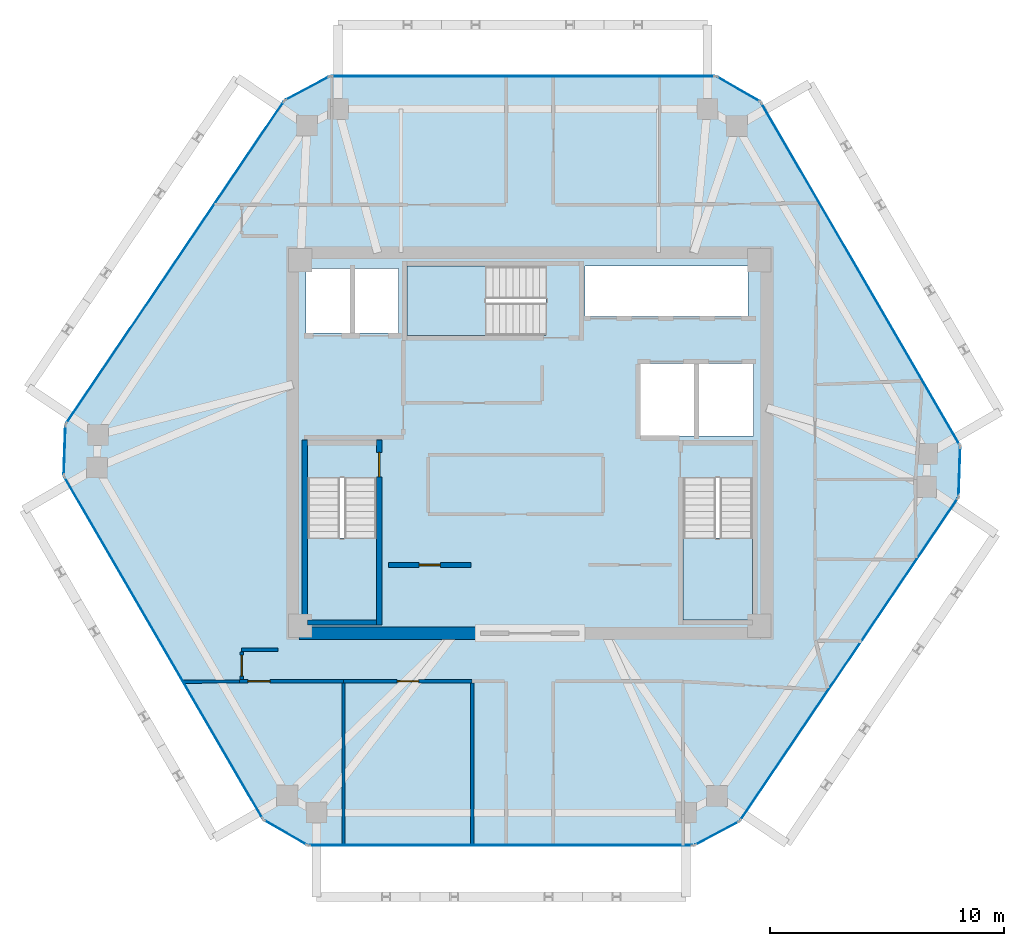
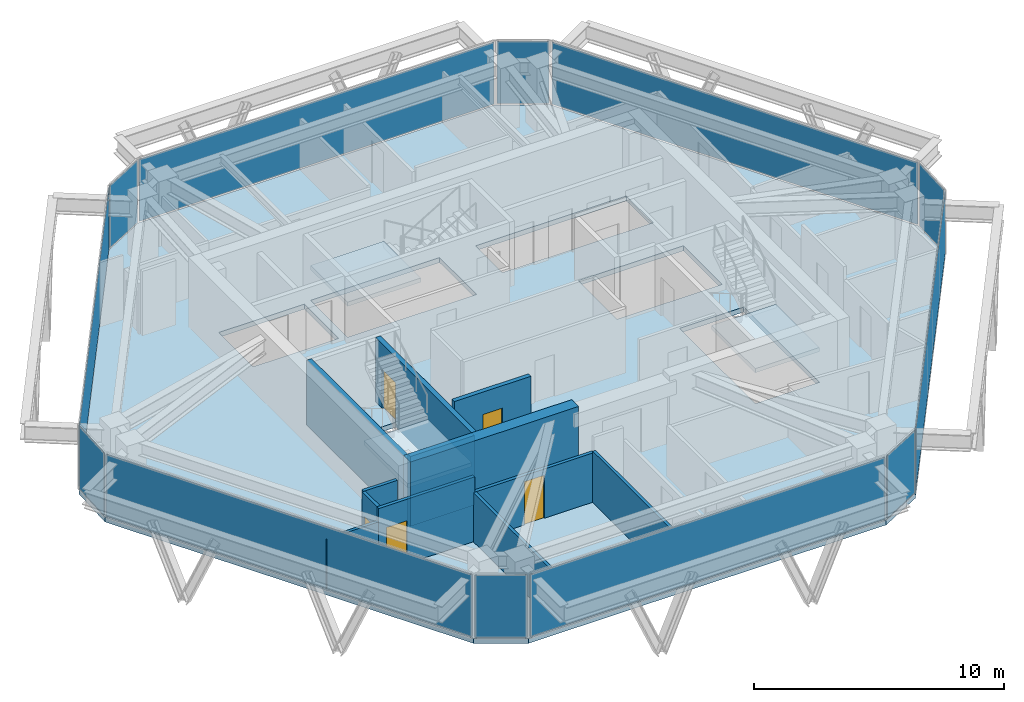
# One storey, part 7 of 11: 12 plates, 12 walls, 5 doors, 4 slabs, 5 openings, 15 elements without a shape of their own.
"""IFC4 building model written with IfcOpenShell, lengths in metres."""

from ifc_helpers import new_model, si_unit, direction, frame, frame_2d, origin, origin_2d, place, context, subcontext, project, spatial, polyline, rectangle, outline, extrude, source, transform, mapped, material, layer, layer_set, type_object, type_shapes, element, fill, aggregate, save


model = new_model("IFC4")

# Units and contexts
model_context = context("Model", 3, precision=1e-05, world=origin(), true_north=direction((0.0, 1.0)))
body_context = subcontext(model_context, "Body", "Model", "MODEL_VIEW")
ifc_project = project(units=[si_unit("LENGTHUNIT", "METRE"), si_unit("AREAUNIT", "SQUARE_METRE"), si_unit("VOLUMEUNIT", "CUBIC_METRE"), si_unit("PLANEANGLEUNIT", "RADIAN"), si_unit("MASSUNIT", "GRAM", prefix="KILO")], contexts=[model_context])

# Site, building, storey
site_placement = place(None, origin())
site = spatial("IfcSite", under=ifc_project, at=site_placement, CompositionType="ELEMENT")
building_placement = place(site_placement, origin())
building = spatial("IfcBuilding", under=site, at=building_placement, Name="Durnholm Broadcast Tower", CompositionType="ELEMENT")
storey_placement = place(building_placement, frame((0.0, 0.0, 251.300048828125)))
storey = spatial("IfcBuildingStorey", under=building, at=storey_placement, Name="L70", CompositionType="ELEMENT", Elevation=251.300048828125)

# Slab
ifc_material_1 = material(Name="Concrete C50/60", Category="concrete")
ifc_layer_1 = layer(ifc_material_1, 0.239990234375)
ifc_layer_set_1 = layer_set([ifc_layer_1], Name="Concrete C50/60")
slab_type_1 = type_object("IfcSlabType", Name="SLAB-FLR-240", PredefinedType="FLOOR", material=ifc_layer_set_1)
slab_1_placement = place(storey_placement, frame((0.0, 0.0, -0.239990234375)))
element("IfcSlab", 1, at=slab_1_placement, inside=storey, type_object=slab_type_1, Name="L70 structural floor slab", PredefinedType="FLOOR", context=body_context, shape_type="SweptSolid", body=[
    extrude(outline(polyline([(-11.384521484375, -16.088134765625), (-9.47802734375, -17.18603515625), (7.012451171875, -17.18603515625), (8.955322265625, -16.154296875), (18.307861328125, -2.3203125), (18.38330078125, -0.12158203125), (9.8603515625, 14.564208984375), (7.9541015625, 15.662109375), (-8.536376953125, 15.662109375), (-10.4794921875, 14.630126953125), (-19.831787109375, 0.79638671875), (-19.9072265625, -1.40234375), (-11.384521484375, -16.088134765625)]), holes=[polyline([(-6.5400390625, -1.5), (-9.5, -1.5), (-9.5, -7.550048828125), (-6.5400390625, -7.550048828125), (-6.5400390625, -1.5)]), polyline([(9.5, -7.550048828125), (9.5, -1.5), (6.5400390625, -1.5), (6.5400390625, -7.550048828125), (9.5, -7.550048828125)]), polyline([(9.550048828125, 3.39990234375), (4.699951171875, 3.39990234375), (4.699951171875, 0.300048828125), (9.550048828125, 0.300048828125), (9.550048828125, 3.39990234375)]), polyline([(-9.550048828125, 7.449951171875), (-9.550048828125, 4.699951171875), (-5.60009765625, 4.699951171875), (-5.60009765625, 7.449951171875), (-9.550048828125, 7.449951171875)]), polyline([(-5.25, 4.60009765625), (0.699951171875, 4.60009765625), (0.699951171875, 7.56005859375), (-5.25, 7.56005859375), (-5.25, 4.60009765625)]), polyline([(9.31005859375, 7.550048828125), (2.35009765625, 7.550048828125), (2.35009765625, 5.39990234375), (9.31005859375, 5.39990234375), (9.31005859375, 7.550048828125)])]), origin(), (0.0, 0.0, 1.0), 0.239990234375),
])

# Stair, slab
stair_type = type_object("IfcStairType", Name="STAIR-DL-20R1700", PredefinedType="HALF_TURN_STAIR", material=ifc_material_1)
stair_1_placement = place(storey_placement, origin())
stair_1 = element("IfcStair", 2, at=stair_1_placement, inside=storey, type_object=stair_type, Name="L70 ST-1", PredefinedType="HALF_TURN_STAIR")
ifc_layer_2 = layer(ifc_material_1, 0.199951171875)
ifc_layer_set_2 = layer_set([ifc_layer_2], Name="Concrete C50/60")
slab_type_2 = type_object("IfcSlabType", Name="SLAB-LND-200", PredefinedType="LANDING", material=ifc_layer_set_2)
slab_2_placement = place(storey_placement, frame((0.0, 0.0, 1.5)))
slab_2 = element("IfcSlab", 3, at=slab_2_placement, type_object=slab_type_2, Name="ST-1 landing 1", PredefinedType="LANDING", context=body_context, shape_type="SweptSolid", body=[
    extrude(outline(polyline([(-9.5, -4.06494140625), (-9.5, -7.550048828125), (-6.5400390625, -7.550048828125), (-6.5400390625, -4.06494140625), (-9.5, -4.06494140625)])), origin(), (0.0, 0.0, 1.0), 0.199951171875),
])
aggregate(stair_1, [slab_2])

stair_2_placement = place(storey_placement, origin())
stair_2 = element("IfcStair", 4, at=stair_2_placement, inside=storey, type_object=stair_type, Name="L70 ST-2", PredefinedType="HALF_TURN_STAIR")
slab_3_placement = place(storey_placement, frame((0.0, 0.0, 1.5)))
slab_3 = element("IfcSlab", 5, at=slab_3_placement, type_object=slab_type_2, Name="ST-2 landing 1", PredefinedType="LANDING", context=body_context, shape_type="SweptSolid", body=[
    extrude(outline(polyline([(6.5400390625, -4.06494140625), (6.5400390625, -7.550048828125), (9.5, -7.550048828125), (9.5, -4.06494140625), (6.5400390625, -4.06494140625)])), origin(), (0.0, 0.0, 1.0), 0.199951171875),
])
aggregate(stair_2, [slab_3])

stair_3_placement = place(storey_placement, origin())
stair_3 = element("IfcStair", 6, at=stair_3_placement, inside=storey, type_object=stair_type, Name="L70 ST-3", PredefinedType="HALF_TURN_STAIR")
slab_4_placement = place(storey_placement, frame((0.0, 0.0, 1.5)))
slab_4 = element("IfcSlab", 7, at=slab_4_placement, type_object=slab_type_2, Name="ST-3 landing 1", PredefinedType="LANDING", context=body_context, shape_type="SweptSolid", body=[
    extrude(outline(polyline([(-1.864990234375, 7.56005859375), (-5.25, 7.56005859375), (-5.25, 4.60009765625), (-1.864990234375, 4.60009765625), (-1.864990234375, 7.56005859375)])), origin(), (0.0, 0.0, 1.0), 0.199951171875),
])
aggregate(stair_3, [slab_4])

# Curtain wall, plate
ifc_material_2 = material(Name="Aluminium and Solar Control IGU", Category="aluminium")
ifc_layer_3 = layer(ifc_material_2, 0.1650390625)
ifc_layer_set_3 = layer_set([ifc_layer_3], Name="Aluminium and Solar Control IGU")
curtain_wall_type_1 = type_object("IfcCurtainWallType", Name="CW-SYS-5", PredefinedType="NOTDEFINED", material=ifc_layer_set_3)
curtain_wall_1_placement = place(storey_placement, origin())
curtain_wall_1 = element("IfcCurtainWall", 8, at=curtain_wall_1_placement, inside=storey, type_object=curtain_wall_type_1, Name="L70 curtain wall CW-CORNER CW-L70-CRN-01", PredefinedType="NOTDEFINED")
ifc_material_3 = material(Name="Low-E Laminated Insulating Glass", Category="glass")
ifc_layer_4 = layer(ifc_material_3, 0.030029296875)
ifc_layer_set_4 = layer_set([ifc_layer_4], Name="Low-E Laminated Insulating Glass")
plate_type_1 = type_object("IfcPlateType", Name="CW-SYS-5-PNL", PredefinedType="CURTAIN_PANEL", material=ifc_layer_set_4)
shared_shape_1 = source(origin(), body_context, "Body", "SweptSolid", [
    extrude(rectangle(XDim=2.070068359375, YDim=0.030029296875, at=origin_2d()), origin(), (0.0, 0.0, 1.0), 3.030029296875),
])
plate_1_placement = place(storey_placement, frame((-19.86962890625, -0.302978515625, 0.06494140625), z_axis=(0.0, 0.0, 1.0), x_axis=(0.034318245849, 0.999410955514, 0.0)))
plate_1 = element("IfcPlate", 9, at=plate_1_placement, type_object=plate_type_1, Name="CW-CORNER panel 1.1", PredefinedType="CURTAIN_PANEL", context=body_context, shape_type="MappedRepresentation", body=[
    mapped(shared_shape_1, transform((0.0, 0.0, 0.0), x_axis=(1.0, 0.0, 0.0), y_axis=(0.0, 1.0, 0.0), z_axis=(0.0, 0.0, 1.0), scale=1.0)),
])
aggregate(curtain_wall_1, [plate_1])

curtain_wall_2_placement = place(storey_placement, origin())
curtain_wall_2 = element("IfcCurtainWall", 10, at=curtain_wall_2_placement, inside=storey, type_object=curtain_wall_type_1, Name="L70 curtain wall CW-CORNER CW-L70-CRN-03", PredefinedType="NOTDEFINED")
plate_2_placement = place(storey_placement, frame((-9.5078125, 15.14599609375, 0.06494140625), z_axis=(0.0, 0.0, 1.0), x_axis=(0.883194569853, 0.469006771575, 0.0)))
plate_2 = element("IfcPlate", 11, at=plate_2_placement, type_object=plate_type_1, Name="CW-CORNER panel 1.1", PredefinedType="CURTAIN_PANEL", context=body_context, shape_type="MappedRepresentation", body=[
    mapped(shared_shape_1, transform((0.0, 0.0, 0.0), x_axis=(1.0, 0.0, 0.0), y_axis=(0.0, 1.0, 0.0), z_axis=(0.0, 0.0, 1.0), scale=1.0)),
])
aggregate(curtain_wall_2, [plate_2])

curtain_wall_3_placement = place(storey_placement, origin())
curtain_wall_3 = element("IfcCurtainWall", 12, at=curtain_wall_3_placement, inside=storey, type_object=curtain_wall_type_1, Name="L70 curtain wall CW-CORNER CW-L70-CRN-07", PredefinedType="NOTDEFINED")
plate_3_placement = place(storey_placement, frame((18.345458984375, -1.220947265625, 0.06494140625), z_axis=(0.0, 0.0, 1.0), x_axis=(-0.034318245849, -0.999410955514, 0.0)))
plate_3 = element("IfcPlate", 13, at=plate_3_placement, type_object=plate_type_1, Name="CW-CORNER panel 1.1", PredefinedType="CURTAIN_PANEL", context=body_context, shape_type="MappedRepresentation", body=[
    mapped(shared_shape_1, transform((0.0, 0.0, 0.0), x_axis=(1.0, 0.0, 0.0), y_axis=(0.0, 1.0, 0.0), z_axis=(0.0, 0.0, 1.0), scale=1.0)),
])
aggregate(curtain_wall_3, [plate_3])

curtain_wall_4_placement = place(storey_placement, origin())
curtain_wall_4 = element("IfcCurtainWall", 14, at=curtain_wall_4_placement, inside=storey, type_object=curtain_wall_type_1, Name="L70 curtain wall CW-CORNER CW-L70-CRN-09", PredefinedType="NOTDEFINED")
plate_4_placement = place(storey_placement, frame((7.98388671875, -16.670166015625, 0.06494140625), z_axis=(0.0, 0.0, 1.0), x_axis=(-0.883194569853, -0.469006771575, 0.0)))
plate_4 = element("IfcPlate", 15, at=plate_4_placement, type_object=plate_type_1, Name="CW-CORNER panel 1.1", PredefinedType="CURTAIN_PANEL", context=body_context, shape_type="MappedRepresentation", body=[
    mapped(shared_shape_1, transform((0.0, 0.0, 0.0), x_axis=(1.0, 0.0, 0.0), y_axis=(0.0, 1.0, 0.0), z_axis=(0.0, 0.0, 1.0), scale=1.0)),
])
aggregate(curtain_wall_4, [plate_4])

ifc_layer_5 = layer(ifc_material_2, 0.18994140625)
ifc_layer_set_5 = layer_set([ifc_layer_5], Name="Aluminium and Solar Control IGU")
curtain_wall_type_2 = type_object("IfcCurtainWallType", Name="CW-SYS-4", PredefinedType="NOTDEFINED", material=ifc_layer_set_5)
curtain_wall_5_placement = place(storey_placement, origin())
curtain_wall_5 = element("IfcCurtainWall", 16, at=curtain_wall_5_placement, inside=storey, type_object=curtain_wall_type_2, Name="L70 curtain wall CW-Z34-VIS CW-L70-F02", PredefinedType="NOTDEFINED")
ifc_layer_6 = layer(ifc_material_3, 0.033935546875)
ifc_layer_set_6 = layer_set([ifc_layer_6], Name="Low-E Laminated Insulating Glass")
plate_type_2 = type_object("IfcPlateType", Name="CW-SYS-4-PNL", PredefinedType="CURTAIN_PANEL", material=ifc_layer_set_6)
shared_shape_2 = source(origin(), body_context, "Body", "SweptSolid", [
    extrude(rectangle(XDim=16.55859375, YDim=0.033935546875, at=origin_2d()), origin(), (0.0, 0.0, 1.0), 3.02001953125),
])
plate_5_placement = place(storey_placement, frame((-15.155517578125, 7.71337890625, 0.06982421875), z_axis=(0.0, 0.0, 1.0), x_axis=(0.560072745753, 0.828443431662, 0.0)))
plate_5 = element("IfcPlate", 17, at=plate_5_placement, type_object=plate_type_2, Name="CW-Z34-VIS panel 1.1", PredefinedType="CURTAIN_PANEL", context=body_context, shape_type="MappedRepresentation", body=[
    mapped(shared_shape_2, transform((0.0, 0.0, 0.0), x_axis=(1.0, 0.0, 0.0), y_axis=(0.0, 1.0, 0.0), z_axis=(0.0, 0.0, 1.0), scale=1.0)),
])
aggregate(curtain_wall_5, [plate_5])

curtain_wall_6_placement = place(storey_placement, origin())
curtain_wall_6 = element("IfcCurtainWall", 18, at=curtain_wall_6_placement, inside=storey, type_object=curtain_wall_type_2, Name="L70 curtain wall CW-Z34-VIS CW-L70-F08", PredefinedType="NOTDEFINED")
plate_6_placement = place(storey_placement, frame((13.631591796875, -9.2373046875, 0.06982421875), z_axis=(0.0, 0.0, 1.0), x_axis=(-0.560072745753, -0.828443431662, 0.0)))
plate_6 = element("IfcPlate", 19, at=plate_6_placement, type_object=plate_type_2, Name="CW-Z34-VIS panel 1.1", PredefinedType="CURTAIN_PANEL", context=body_context, shape_type="MappedRepresentation", body=[
    mapped(shared_shape_2, transform((0.0, 0.0, 0.0), x_axis=(1.0, 0.0, 0.0), y_axis=(0.0, 1.0, 0.0), z_axis=(0.0, 0.0, 1.0), scale=1.0)),
])
aggregate(curtain_wall_6, [plate_6])

curtain_wall_7_placement = place(storey_placement, origin())
curtain_wall_7 = element("IfcCurtainWall", 20, at=curtain_wall_7_placement, inside=storey, type_object=curtain_wall_type_2, Name="L70 curtain wall CW-Z34-VIS CW-L70-F04", PredefinedType="NOTDEFINED")
shared_shape_3 = source(origin(), body_context, "Body", "SweptSolid", [
    extrude(rectangle(XDim=16.350341796875, YDim=0.033935546875, at=origin_2d()), origin(), (0.0, 0.0, 1.0), 3.02001953125),
])
plate_7_placement = place(storey_placement, frame((-0.291259765625, 15.662109375, 0.06982421875), z_axis=(0.0, 0.0, 1.0), x_axis=(1.0, 0.0, 0.0)))
plate_7 = element("IfcPlate", 21, at=plate_7_placement, type_object=plate_type_2, Name="CW-Z34-VIS panel 1.1", PredefinedType="CURTAIN_PANEL", context=body_context, shape_type="MappedRepresentation", body=[
    mapped(shared_shape_3, transform((0.0, 0.0, 0.0), x_axis=(1.0, 0.0, 0.0), y_axis=(0.0, 1.0, 0.0), z_axis=(0.0, 0.0, 1.0), scale=1.0)),
])
aggregate(curtain_wall_7, [plate_7])

curtain_wall_8_placement = place(storey_placement, origin())
curtain_wall_8 = element("IfcCurtainWall", 22, at=curtain_wall_8_placement, inside=storey, type_object=curtain_wall_type_2, Name="L70 curtain wall CW-Z34-VIS CW-L70-F10", PredefinedType="NOTDEFINED")
plate_8_placement = place(storey_placement, frame((-1.23291015625, -17.18603515625, 0.06982421875), z_axis=(0.0, 0.0, 1.0), x_axis=(-1.0, 0.0, 0.0)))
plate_8 = element("IfcPlate", 23, at=plate_8_placement, type_object=plate_type_2, Name="CW-Z34-VIS panel 1.1", PredefinedType="CURTAIN_PANEL", context=body_context, shape_type="MappedRepresentation", body=[
    mapped(shared_shape_3, transform((0.0, 0.0, 0.0), x_axis=(1.0, 0.0, 0.0), y_axis=(0.0, 1.0, 0.0), z_axis=(0.0, 0.0, 1.0), scale=1.0)),
])
aggregate(curtain_wall_8, [plate_8])

curtain_wall_9_placement = place(storey_placement, origin())
curtain_wall_9 = element("IfcCurtainWall", 24, at=curtain_wall_9_placement, inside=storey, type_object=curtain_wall_type_1, Name="L70 curtain wall CW-CORNER CW-L70-CRN-05", PredefinedType="NOTDEFINED")
shared_shape_4 = source(origin(), body_context, "Body", "SweptSolid", [
    extrude(rectangle(XDim=2.06982421875, YDim=0.030029296875, at=origin_2d()), origin(), (0.0, 0.0, 1.0), 3.030029296875),
])
type_shapes(plate_type_1, [shared_shape_1, shared_shape_4])
plate_9_placement = place(storey_placement, frame((8.9072265625, 15.113037109375, 0.06494140625), z_axis=(0.0, 0.0, 1.0), x_axis=(0.866568249707, -0.499058582333, 0.0)))
plate_9 = element("IfcPlate", 25, at=plate_9_placement, type_object=plate_type_1, Name="CW-CORNER panel 1.1", PredefinedType="CURTAIN_PANEL", context=body_context, shape_type="MappedRepresentation", body=[
    mapped(shared_shape_4, transform((0.0, 0.0, 0.0), x_axis=(1.0, 0.0, 0.0), y_axis=(0.0, 1.0, 0.0), z_axis=(0.0, 0.0, 1.0), scale=1.0)),
])
aggregate(curtain_wall_9, [plate_9])

curtain_wall_10_placement = place(storey_placement, origin())
curtain_wall_10 = element("IfcCurtainWall", 26, at=curtain_wall_10_placement, inside=storey, type_object=curtain_wall_type_1, Name="L70 curtain wall CW-CORNER CW-L70-CRN-11", PredefinedType="NOTDEFINED")
plate_10_placement = place(storey_placement, frame((-10.43115234375, -16.636962890625, 0.06494140625), z_axis=(0.0, 0.0, 1.0), x_axis=(-0.866568249707, 0.499058582333, 0.0)))
plate_10 = element("IfcPlate", 27, at=plate_10_placement, type_object=plate_type_1, Name="CW-CORNER panel 1.1", PredefinedType="CURTAIN_PANEL", context=body_context, shape_type="MappedRepresentation", body=[
    mapped(shared_shape_4, transform((0.0, 0.0, 0.0), x_axis=(1.0, 0.0, 0.0), y_axis=(0.0, 1.0, 0.0), z_axis=(0.0, 0.0, 1.0), scale=1.0)),
])
aggregate(curtain_wall_10, [plate_10])

curtain_wall_11_placement = place(storey_placement, origin())
curtain_wall_11 = element("IfcCurtainWall", 28, at=curtain_wall_11_placement, inside=storey, type_object=curtain_wall_type_2, Name="L70 curtain wall CW-Z34-VIS CW-L70-F06", PredefinedType="NOTDEFINED")
shared_shape_5 = source(origin(), body_context, "Body", "SweptSolid", [
    extrude(rectangle(XDim=16.83984375, YDim=0.033935546875, at=origin_2d()), origin(), (0.0, 0.0, 1.0), 3.02001953125),
])
type_shapes(plate_type_2, [shared_shape_2, shared_shape_3, shared_shape_5])
plate_11_placement = place(storey_placement, frame((14.121826171875, 7.22119140625, 0.06982421875), z_axis=(0.0, 0.0, 1.0), x_axis=(0.50194441023, -0.864899883824, 0.0)))
plate_11 = element("IfcPlate", 29, at=plate_11_placement, type_object=plate_type_2, Name="CW-Z34-VIS panel 1.1", PredefinedType="CURTAIN_PANEL", context=body_context, shape_type="MappedRepresentation", body=[
    mapped(shared_shape_5, transform((0.0, 0.0, 0.0), x_axis=(1.0, 0.0, 0.0), y_axis=(0.0, 1.0, 0.0), z_axis=(0.0, 0.0, 1.0), scale=1.0)),
])
aggregate(curtain_wall_11, [plate_11])

curtain_wall_12_placement = place(storey_placement, origin())
curtain_wall_12 = element("IfcCurtainWall", 30, at=curtain_wall_12_placement, inside=storey, type_object=curtain_wall_type_2, Name="L70 curtain wall CW-Z34-VIS CW-L70-F12", PredefinedType="NOTDEFINED")
plate_12_placement = place(storey_placement, frame((-15.645751953125, -8.7451171875, 0.06982421875), z_axis=(0.0, 0.0, 1.0), x_axis=(-0.50194441023, 0.864899883824, 0.0)))
plate_12 = element("IfcPlate", 31, at=plate_12_placement, type_object=plate_type_2, Name="CW-Z34-VIS panel 1.1", PredefinedType="CURTAIN_PANEL", context=body_context, shape_type="MappedRepresentation", body=[
    mapped(shared_shape_5, transform((0.0, 0.0, 0.0), x_axis=(1.0, 0.0, 0.0), y_axis=(0.0, 1.0, 0.0), z_axis=(0.0, 0.0, 1.0), scale=1.0)),
])
aggregate(curtain_wall_12, [plate_12])

# Wall
ifc_material_4 = material(Name="Concrete C70/85", Category="concrete")
ifc_layer_7 = layer(ifc_material_4, 0.550048828125)
ifc_layer_set_7 = layer_set([ifc_layer_7], Name="Concrete C70/85")
wall_type_1 = type_object("IfcWallType", Name="WALL-CW-550", PredefinedType="SHEAR", material=ifc_layer_set_7)
wall_1_placement = place(storey_placement, frame((-9.85009765625, -8.125, 0.0), z_axis=(0.0, 0.0, 1.0), x_axis=(1.0, 0.0, 0.0)))
element("IfcWall", 32, at=wall_1_placement, inside=storey, type_object=wall_type_1, Name="L70 central core shear wall CW-S1", PredefinedType="SHEAR", context=body_context, shape_type="SweptSolid", body=[
    extrude(rectangle(XDim=7.75, YDim=0.550048828125, at=frame_2d((3.875, 0.0))), origin(), (0.0, 0.0, 1.0), 3.39990234375),
])

# Wall, opening, door
ifc_material_5 = material(Name="Fire-Rated Gypsum Shaftwall", Category="concrete")
ifc_layer_8 = layer(ifc_material_5, 0.199951171875)
ifc_layer_set_8 = layer_set([ifc_layer_8], Name="Fire-Rated Gypsum Shaftwall")
wall_type_2 = type_object("IfcWallType", Name="WALL-LOB-200", PredefinedType="SOLIDWALL", material=ifc_layer_set_8)
wall_2_placement = place(storey_placement, frame((-6.0400390625, -5.2099609375, 0.0), z_axis=(0.0, 0.0, 1.0), x_axis=(1.0, 0.0, 0.0)))
wall_2 = element("IfcWall", 33, at=wall_2_placement, inside=storey, type_object=wall_type_2, Name="L70 Broadcast Signal Rack Room corridor partition", PredefinedType="SOLIDWALL", context=body_context, shape_type="SweptSolid", body=[
    extrude(rectangle(XDim=3.530029296875, YDim=0.199951171875, at=frame_2d((1.76513671875, 0.0))), origin(), (0.0, 0.0, 1.0), 3.14501953125),
])
opening_1_placement = place(wall_2_placement, frame((1.31494140625, 0.0, 0.0)))
opening_1 = element("IfcOpeningElement", 34, at=opening_1_placement, cuts=wall_2, Name="Opening DC-60R", PredefinedType="OPENING", context=body_context, shape_type="SweptSolid", body=[
    extrude(rectangle(XDim=0.89990234375, YDim=2.050048828125, at=frame_2d((0.449951171875, 1.02490234375))), frame((0.0, 0.10986328125, 0.0), z_axis=(0.0, -1.0, 0.0), x_axis=(1.0, 0.0, 0.0)), (0.0, 0.0, 1.0), 0.219970703125),
])
ifc_material_6 = material(Name="Fire-Rated Core Service Door", Category="steel")
ifc_layer_9 = layer(ifc_material_6, 0.050048828125)
ifc_layer_set_9 = layer_set([ifc_layer_9], Name="Fire-Rated Core Service Door")
door_type_1 = type_object("IfcDoorType", Name="DOOR-CORE-FD60-R", OperationType="NOTDEFINED", PredefinedType="DOOR", material=ifc_layer_set_9)
shared_shape_6 = source(origin(), body_context, "Body", "SweptSolid", [
    extrude(rectangle(XDim=0.89990234375, YDim=2.050048828125, at=frame_2d((0.449951171875, 1.02490234375))), frame((0.0, 0.02490234375, 0.0), z_axis=(0.0, -1.0, 0.0), x_axis=(1.0, 0.0, 0.0)), (0.0, 0.0, 1.0), 0.050048828125),
])
type_shapes(door_type_1, [shared_shape_6])
door_1_placement = place(opening_1_placement, origin())
door_1 = element("IfcDoor", 35, at=door_1_placement, inside=storey, type_object=door_type_1, Name="L70 Broadcast Signal Rack Room entrance door", OperationType="SINGLE_SWING_RIGHT", OverallHeight=2.050048828125, OverallWidth=0.89990234375, PredefinedType="DOOR", context=body_context, shape_type="MappedRepresentation", body=[
    mapped(shared_shape_6, transform((0.0, 0.0, 0.0), x_axis=(1.0, 0.0, 0.0), y_axis=(0.0, 1.0, 0.0), z_axis=(0.0, 0.0, 1.0), scale=1.0)),
])
fill(opening_1, door_1)

# Walls
ifc_material_7 = material(Name="Gypsum Metal Stud Partition", Category="concrete")
ifc_layer_10 = layer(ifc_material_7, 0.135009765625)
ifc_layer_set_10 = layer_set([ifc_layer_10], Name="Gypsum Metal Stud Partition")
wall_type_3 = type_object("IfcWallType", Name="WALL-PART-135", PredefinedType="PARTITIONING", material=ifc_layer_set_10)
wall_3_placement = place(storey_placement, frame((-7.9599609375, -10.259033203125, 0.0), z_axis=(0.0, 0.0, 1.0), x_axis=(0.0, -1.0, 0.0)))
element("IfcWall", 36, at=wall_3_placement, inside=storey, type_object=wall_type_3, Name="L70 room dividing partition 12.13", PredefinedType="PARTITIONING", context=body_context, shape_type="SweptSolid", body=[
    extrude(rectangle(XDim=6.927001953125, YDim=0.135009765625, at=frame_2d((3.46337890625, 0.0))), origin(), (0.0, 0.0, 1.0), 2.4013671875),
])
wall_4_placement = place(storey_placement, frame((-14.801513671875, -10.199951171875, 0.0), z_axis=(0.0, 0.0, 1.0), x_axis=(0.999968020968, 0.007997314604, 0.0)))
element("IfcWall", 37, at=wall_4_placement, inside=storey, type_object=wall_type_3, Name="L70 room dividing partition 12.17", PredefinedType="PARTITIONING", context=body_context, shape_type="SweptSolid", body=[
    extrude(rectangle(XDim=2.41162109375, YDim=0.135009765625, at=frame_2d((1.205810546875, 0.0))), origin(), (0.0, 0.0, 1.0), 2.498779296875),
])
wall_5_placement = place(storey_placement, frame((-2.4599609375, -10.259033203125, 0.0), z_axis=(0.0, 0.0, 1.0), x_axis=(0.0, -1.0, 0.0)))
element("IfcWall", 38, at=wall_5_placement, inside=storey, type_object=wall_type_3, Name="L70 room dividing partition 13.14", PredefinedType="PARTITIONING", context=body_context, shape_type="SweptSolid", body=[
    extrude(rectangle(XDim=6.927001953125, YDim=0.135009765625, at=frame_2d((3.46337890625, 0.0))), origin(), (0.0, 0.0, 1.0), 2.498779296875),
])

# Wall, opening, door
ifc_material_8 = material(Name="Acoustic Gypsum Stud Partition", Category="concrete")
ifc_layer_11 = layer(ifc_material_8, 0.14990234375)
ifc_layer_set_11 = layer_set([ifc_layer_11], Name="Acoustic Gypsum Stud Partition")
wall_type_4 = type_object("IfcWallType", Name="WALL-PART-150", PredefinedType="PARTITIONING", material=ifc_layer_set_11)
wall_6_placement = place(storey_placement, frame((-12.389892578125, -10.179931640625, 0.0), z_axis=(0.0, 0.0, 1.0), x_axis=(1.0, 0.0, 0.0)))
wall_6 = element("IfcWall", 39, at=wall_6_placement, inside=storey, type_object=wall_type_4, Name="L70 Open Plan Broadcast Workspace 6 corridor partition", PredefinedType="PARTITIONING", context=body_context, shape_type="SweptSolid", body=[
    extrude(rectangle(XDim=4.429931640625, YDim=0.14990234375, at=frame_2d((2.21484375, 0.0))), origin(), (0.0, 0.0, 1.0), 3.14501953125),
])
opening_2_placement = place(wall_6_placement, frame((0.35009765625, 0.0, 0.0)))
opening_2 = element("IfcOpeningElement", 40, at=opening_2_placement, cuts=wall_6, Name="Opening DR-95L", PredefinedType="OPENING", context=body_context, shape_type="SweptSolid", body=[
    extrude(rectangle(XDim=0.949951171875, YDim=2.10009765625, at=frame_2d((0.47509765625, 1.050048828125))), frame((0.0, 0.0849609375, 0.0), z_axis=(0.0, -1.0, 0.0), x_axis=(1.0, 0.0, 0.0)), (0.0, 0.0, 1.0), 0.169921875),
])
ifc_material_9 = material(Name="Acoustic Oak Veneer Timber Door", Category="wood")
ifc_layer_12 = layer(ifc_material_9, 0.050048828125)
ifc_layer_set_12 = layer_set([ifc_layer_12], Name="Acoustic Oak Veneer Timber Door")
door_type_2 = type_object("IfcDoorType", Name="DOOR-RM-950L", OperationType="NOTDEFINED", PredefinedType="DOOR", material=ifc_layer_set_12)
shared_shape_7 = source(origin(), body_context, "Body", "SweptSolid", [
    extrude(rectangle(XDim=0.949951171875, YDim=2.10009765625, at=frame_2d((0.47509765625, 1.050048828125))), frame((0.0, 0.02490234375, 0.0), z_axis=(0.0, -1.0, 0.0), x_axis=(1.0, 0.0, 0.0)), (0.0, 0.0, 1.0), 0.050048828125),
])
type_shapes(door_type_2, [shared_shape_7])
door_2_placement = place(opening_2_placement, origin())
door_2 = element("IfcDoor", 41, at=door_2_placement, inside=storey, type_object=door_type_2, Name="L70 Open Plan Broadcast Workspace 6 entrance door", OperationType="SINGLE_SWING_LEFT", OverallHeight=2.10009765625, OverallWidth=0.949951171875, PredefinedType="DOOR", context=body_context, shape_type="MappedRepresentation", body=[
    mapped(shared_shape_7, transform((0.0, 0.0, 0.0), x_axis=(1.0, 0.0, 0.0), y_axis=(0.0, 1.0, 0.0), z_axis=(0.0, 0.0, 1.0), scale=1.0)),
])
fill(opening_2, door_2)

wall_7_placement = place(storey_placement, frame((-7.9599609375, -10.179931640625, 0.0), z_axis=(0.0, 0.0, 1.0), x_axis=(1.0, 0.0, 0.0)))
wall_7 = element("IfcWall", 42, at=wall_7_placement, inside=storey, type_object=wall_type_4, Name="L70 Seminar Dining Room corridor partition", PredefinedType="PARTITIONING", context=body_context, shape_type="SweptSolid", body=[
    extrude(rectangle(XDim=5.5, YDim=0.14990234375, at=frame_2d((2.75, 0.0))), origin(), (0.0, 0.0, 1.0), 2.4013671875),
])
opening_3_placement = place(wall_7_placement, frame((2.2900390625, 0.0, 0.0)))
opening_3 = element("IfcOpeningElement", 43, at=opening_3_placement, cuts=wall_7, Name="Opening DR-92R", PredefinedType="OPENING", context=body_context, shape_type="SweptSolid", body=[
    extrude(rectangle(XDim=0.919921875, YDim=2.10009765625, at=frame_2d((0.4599609375, 1.050048828125))), frame((0.0, 0.0849609375, 0.0), z_axis=(0.0, -1.0, 0.0), x_axis=(1.0, 0.0, 0.0)), (0.0, 0.0, 1.0), 0.169921875),
])
ifc_material_10 = material(Name="Oak Veneer Office Door", Category="wood")
ifc_layer_13 = layer(ifc_material_10, 0.050048828125)
ifc_layer_set_13 = layer_set([ifc_layer_13], Name="Oak Veneer Office Door")
door_type_3 = type_object("IfcDoorType", Name="DOOR-RM-920R", OperationType="NOTDEFINED", PredefinedType="DOOR", material=ifc_layer_set_13)
shared_shape_8 = source(origin(), body_context, "Body", "SweptSolid", [
    extrude(rectangle(XDim=0.919921875, YDim=2.10009765625, at=frame_2d((0.4599609375, 1.050048828125))), frame((0.0, 0.02490234375, 0.0), z_axis=(0.0, -1.0, 0.0), x_axis=(1.0, 0.0, 0.0)), (0.0, 0.0, 1.0), 0.050048828125),
])
type_shapes(door_type_3, [shared_shape_8])
door_3_placement = place(opening_3_placement, origin())
door_3 = element("IfcDoor", 44, at=door_3_placement, inside=storey, type_object=door_type_3, Name="L70 Seminar Dining Room entrance door", OperationType="SINGLE_SWING_RIGHT", OverallHeight=2.10009765625, OverallWidth=0.919921875, PredefinedType="DOOR", context=body_context, shape_type="MappedRepresentation", body=[
    mapped(shared_shape_8, transform((0.0, 0.0, 0.0), x_axis=(1.0, 0.0, 0.0), y_axis=(0.0, 1.0, 0.0), z_axis=(0.0, 0.0, 1.0), scale=1.0)),
])
fill(opening_3, door_3)

# Wall
wall_8_placement = place(storey_placement, frame((-10.760009765625, -8.840087890625, 0.0), z_axis=(0.0, 0.0, 1.0), x_axis=(-1.0, 0.0, 0.0)))
element("IfcWall", 45, at=wall_8_placement, inside=storey, type_object=wall_type_4, Name="L70 Fellows Meeting Room 3 corridor partition", PredefinedType="PARTITIONING", context=body_context, shape_type="SweptSolid", body=[
    extrude(rectangle(XDim=1.550048828125, YDim=0.14990234375, at=frame_2d((0.77490234375, 0.0))), origin(), (0.0, 0.0, 1.0), 3.14501953125),
])

# Wall, opening, door
wall_9_placement = place(storey_placement, frame((-12.31005859375, -8.9189453125, 0.0), z_axis=(0.0, 0.0, 1.0), x_axis=(0.0, -1.0, 0.0)))
wall_9 = element("IfcWall", 46, at=wall_9_placement, inside=storey, type_object=wall_type_4, Name="L70 Fellows Meeting Room 3 corridor partition", PredefinedType="PARTITIONING", context=body_context, shape_type="SweptSolid", body=[
    extrude(rectangle(XDim=1.18212890625, YDim=0.14990234375, at=frame_2d((0.591064453125, 0.0))), origin(), (0.0, 0.0, 1.0), 3.14501953125),
])
opening_4_placement = place(wall_9_placement, frame((0.14111328125, 0.0, 0.0)))
opening_4 = element("IfcOpeningElement", 47, at=opening_4_placement, cuts=wall_9, Name="Opening DW-90L", PredefinedType="OPENING", context=body_context, shape_type="SweptSolid", body=[
    extrude(rectangle(XDim=0.89990234375, YDim=2.050048828125, at=frame_2d((0.449951171875, 1.02490234375))), frame((0.0, 0.0849609375, 0.0), z_axis=(0.0, -1.0, 0.0), x_axis=(1.0, 0.0, 0.0)), (0.0, 0.0, 1.0), 0.169921875),
])
ifc_material_11 = material(Name="Laminate Restroom Door", Category="steel")
ifc_layer_14 = layer(ifc_material_11, 0.050048828125)
ifc_layer_set_14 = layer_set([ifc_layer_14], Name="Laminate Restroom Door")
door_type_4 = type_object("IfcDoorType", Name="DOOR-WC-900L", OperationType="NOTDEFINED", PredefinedType="DOOR", material=ifc_layer_set_14)
shared_shape_9 = source(origin(), body_context, "Body", "SweptSolid", [
    extrude(rectangle(XDim=0.89990234375, YDim=2.050048828125, at=frame_2d((0.449951171875, 1.02490234375))), frame((0.0, 0.02490234375, 0.0), z_axis=(0.0, -1.0, 0.0), x_axis=(1.0, 0.0, 0.0)), (0.0, 0.0, 1.0), 0.050048828125),
])
type_shapes(door_type_4, [shared_shape_9])
door_4_placement = place(opening_4_placement, origin())
door_4 = element("IfcDoor", 48, at=door_4_placement, inside=storey, type_object=door_type_4, Name="L70 Fellows Meeting Room 3 entrance door", OperationType="SINGLE_SWING_LEFT", OverallHeight=2.050048828125, OverallWidth=0.89990234375, PredefinedType="DOOR", context=body_context, shape_type="MappedRepresentation", body=[
    mapped(shared_shape_9, transform((0.0, 0.0, 0.0), x_axis=(1.0, 0.0, 0.0), y_axis=(0.0, 1.0, 0.0), z_axis=(0.0, 0.0, 1.0), scale=1.0)),
])
fill(opening_4, door_4)

ifc_layer_15 = layer(ifc_material_1, 0.219970703125)
ifc_layer_set_15 = layer_set([ifc_layer_15], Name="Concrete C50/60")
wall_type_5 = type_object("IfcWallType", Name="WALL-SW-220", PredefinedType="SHEAR", material=ifc_layer_set_15)
wall_10_placement = place(storey_placement, frame((-6.429931640625, -7.77001953125, -0.239990234375), z_axis=(0.0, 0.0, 1.0), x_axis=(0.0, 1.0, 0.0)))
wall_10 = element("IfcWall", 49, at=wall_10_placement, inside=storey, type_object=wall_type_5, Name="L70 stair ST-1 structural shaft wall E", PredefinedType="SHEAR", context=body_context, shape_type="SweptSolid", body=[
    extrude(rectangle(XDim=7.89013671875, YDim=0.219970703125, at=frame_2d((3.945068359375, 0.0))), origin(), (0.0, 0.0, 1.0), 3.39990234375),
])
opening_5_placement = place(wall_10_placement, frame((6.320068359375, 0.0, 0.0)))
opening_5 = element("IfcOpeningElement", 50, at=opening_5_placement, cuts=wall_10, Name="Opening DS-90L", PredefinedType="OPENING", context=body_context, shape_type="SweptSolid", body=[
    extrude(rectangle(XDim=1.050048828125, YDim=2.14990234375, at=frame_2d((0.52490234375, 1.074951171875))), frame((0.0, 0.1201171875, 0.0), z_axis=(0.0, -1.0, 0.0), x_axis=(1.0, 0.0, 0.0)), (0.0, 0.0, 1.0), 0.239990234375),
])
ifc_material_12 = material(Name="Fire-Rated Steel Door", Category="steel")
ifc_layer_16 = layer(ifc_material_12, 0.050048828125)
ifc_layer_set_16 = layer_set([ifc_layer_16], Name="Fire-Rated Steel Door")
door_type_5 = type_object("IfcDoorType", Name="DOOR-ST-FD90-L", OperationType="NOTDEFINED", PredefinedType="DOOR", material=ifc_layer_set_16)
shared_shape_10 = source(origin(), body_context, "Body", "SweptSolid", [
    extrude(rectangle(XDim=1.050048828125, YDim=2.14990234375, at=frame_2d((0.52490234375, 1.074951171875))), frame((0.0, 0.02490234375, 0.0), z_axis=(0.0, -1.0, 0.0), x_axis=(1.0, 0.0, 0.0)), (0.0, 0.0, 1.0), 0.050048828125),
])
type_shapes(door_type_5, [shared_shape_10])
door_5_placement = place(opening_5_placement, origin())
door_5 = element("IfcDoor", 51, at=door_5_placement, inside=storey, type_object=door_type_5, Name="L70 exit stair ST-1 fire door", OperationType="SINGLE_SWING_LEFT", OverallHeight=2.14990234375, OverallWidth=1.050048828125, PredefinedType="DOOR", context=body_context, shape_type="MappedRepresentation", body=[
    mapped(shared_shape_10, transform((0.0, 0.0, 0.0), x_axis=(1.0, 0.0, 0.0), y_axis=(0.0, 1.0, 0.0), z_axis=(0.0, 0.0, 1.0), scale=1.0)),
])
fill(opening_5, door_5)

# Walls
wall_11_placement = place(storey_placement, frame((-9.610107421875, 0.1201171875, -0.239990234375), z_axis=(0.0, 0.0, 1.0), x_axis=(0.0, -1.0, 0.0)))
element("IfcWall", 52, at=wall_11_placement, inside=storey, type_object=wall_type_5, Name="L70 stair ST-1 structural shaft wall W", PredefinedType="SHEAR", context=body_context, shape_type="SweptSolid", body=[
    extrude(rectangle(XDim=7.89013671875, YDim=0.219970703125, at=frame_2d((3.945068359375, 0.0))), origin(), (0.0, 0.0, 1.0), 3.39990234375),
])
wall_12_placement = place(storey_placement, frame((-9.5, -7.659912109375, -0.239990234375), z_axis=(0.0, 0.0, 1.0), x_axis=(1.0, 0.0, 0.0)))
element("IfcWall", 53, at=wall_12_placement, inside=storey, type_object=wall_type_5, Name="L70 stair ST-1 structural shaft wall S", PredefinedType="SHEAR", context=body_context, shape_type="SweptSolid", body=[
    extrude(rectangle(XDim=2.9599609375, YDim=0.219970703125, at=frame_2d((1.47998046875, 0.0))), origin(), (0.0, 0.0, 1.0), 3.39990234375),
])

save(model, "model.ifc")
